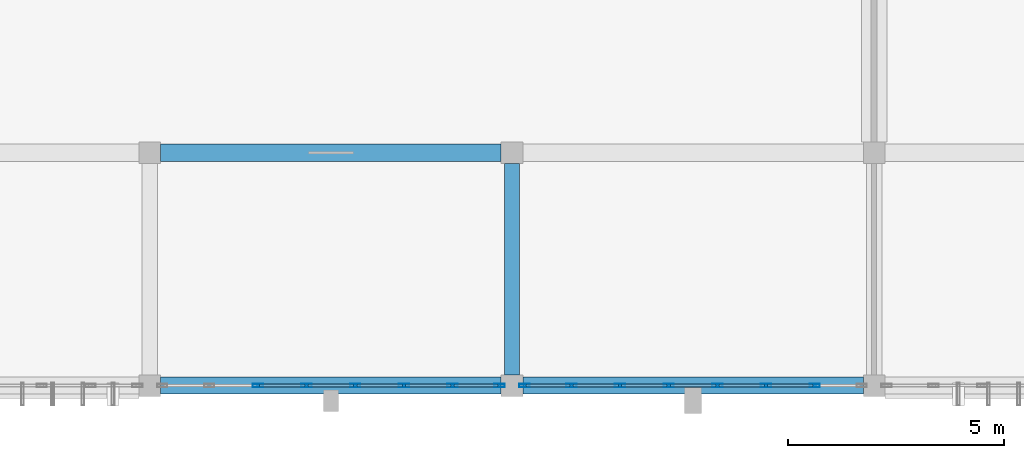
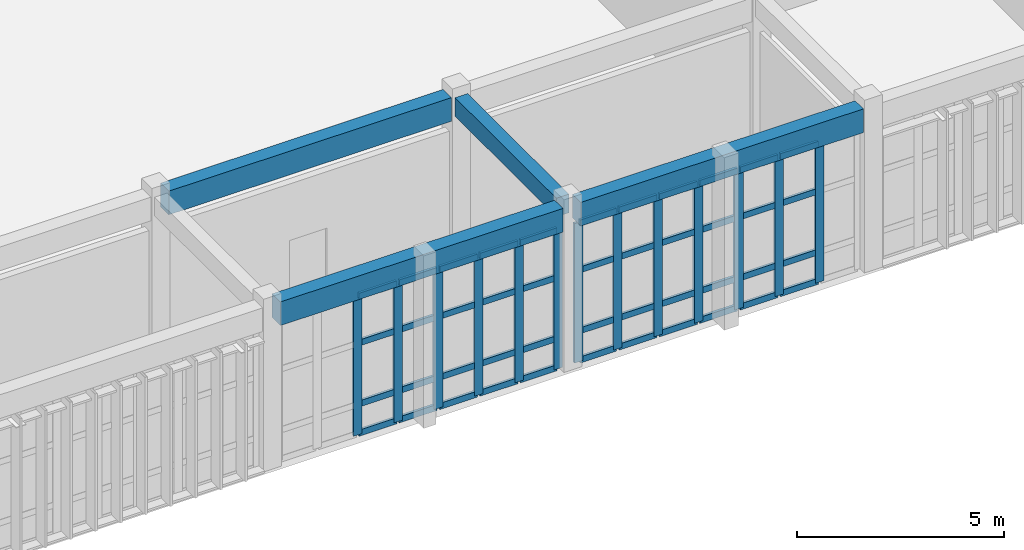
# One storey, part 43 of 93: 57 members, 4 beams, 2 elements without a shape of their own.
"""IFC4 building model written with IfcOpenShell, lengths in metres."""

from ifc_helpers import new_model, si_unit, direction, frame, origin, origin_2d, place, context, subcontext, project, spatial, rectangle, hollow_rectangle, extrude, material, layer, layer_set, material_profile, profile_set, type_object, element, aggregate, save


model = new_model("IFC4")

# Units and contexts
model_context = context("Model", 3, precision=1e-05, world=origin(), true_north=direction((0.0, 1.0)))
body_context = subcontext(model_context, "Body", "Model", "MODEL_VIEW")
ifc_project = project(units=[si_unit("LENGTHUNIT", "METRE"), si_unit("AREAUNIT", "SQUARE_METRE"), si_unit("VOLUMEUNIT", "CUBIC_METRE"), si_unit("PLANEANGLEUNIT", "RADIAN"), si_unit("MASSUNIT", "GRAM", prefix="KILO")], contexts=[model_context])

# Site, building, storey
site_placement = place(None, origin())
site = spatial("IfcSite", under=ifc_project, at=site_placement, CompositionType="ELEMENT")
building_placement = place(site_placement, origin())
building = spatial("IfcBuilding", under=site, at=building_placement, Name="Krzemoval Escarpment Law Courts", CompositionType="ELEMENT")
storey_placement = place(building_placement, frame((0.0, 0.0, 10.199951171875)))
storey = spatial("IfcBuildingStorey", under=building, at=storey_placement, Name="L02", CompositionType="ELEMENT", Elevation=10.199951171875)

# Beams
ifc_material_1 = material(Name="Concrete C40/50", Category="concrete")
ifc_material_profile_1 = material_profile(ifc_material_1, rectangle(XDim=0.35009765625, YDim=0.550048828125, at=origin_2d()), Name="RCB 350x550")
ifc_profile_set_1 = profile_set([ifc_material_profile_1], Name="Concrete C40/50")
beam_type_1 = type_object("IfcBeamType", Name="BM-RC-350x550", PredefinedType="BEAM", material=ifc_profile_set_1)
beam_1_placement = place(storey_placement, frame((134.39990234375, 0.25, 4.545166015625), z_axis=(0.0, 1.0, 0.0), x_axis=(-1.0, 0.0, 0.0)))
element("IfcBeam", 1, at=beam_1_placement, inside=storey, type_object=beam_type_1, Name="Beam FG-L02-1966", PredefinedType="BEAM", context=body_context, shape_type="SweptSolid", body=[
    extrude(rectangle(XDim=0.35009765625, YDim=0.550048828125, at=origin_2d()), origin(), (0.0, 0.0, 1.0), 4.89990234375),
])
ifc_material_2 = material(Name="Concrete C40/50", Category="concrete")
ifc_material_profile_2 = material_profile(ifc_material_2, rectangle(XDim=0.39990234375, YDim=0.699951171875, at=origin_2d()), Name="RCB 400x700")
ifc_profile_set_2 = profile_set([ifc_material_profile_2], Name="Concrete C40/50")
beam_type_2 = type_object("IfcBeamType", Name="BM-RC-400x700", PredefinedType="BEAM", material=ifc_profile_set_2)
beam_2_placement = place(storey_placement, frame((126.25, 0.0, 4.469970703125), z_axis=(1.0, 0.0, 0.0), x_axis=(0.0, 1.0, 0.0)))
element("IfcBeam", 2, at=beam_2_placement, inside=storey, type_object=beam_type_2, Name="Beam FG-L02-1718", PredefinedType="BEAM", context=body_context, shape_type="SweptSolid", body=[
    extrude(rectangle(XDim=0.39990234375, YDim=0.699951171875, at=origin_2d()), origin(), (0.0, 0.0, 1.0), 7.89990234375),
])
beam_3_placement = place(storey_placement, frame((134.64990234375, 0.0, 4.469970703125), z_axis=(1.0, 0.0, 0.0), x_axis=(0.0, 1.0, 0.0)))
element("IfcBeam", 3, at=beam_3_placement, inside=storey, type_object=beam_type_2, Name="Beam FG-L02-1719", PredefinedType="BEAM", context=body_context, shape_type="SweptSolid", body=[
    extrude(rectangle(XDim=0.39990234375, YDim=0.699951171875, at=origin_2d()), origin(), (0.0, 0.0, 1.0), 7.900146484375),
])
beam_4_placement = place(storey_placement, frame((126.25, 5.39990234375, 4.469970703125), z_axis=(1.0, 0.0, 0.0), x_axis=(0.0, 1.0, 0.0)))
element("IfcBeam", 4, at=beam_4_placement, inside=storey, type_object=beam_type_2, Name="Beam FG-L02-1735", PredefinedType="BEAM", context=body_context, shape_type="SweptSolid", body=[
    extrude(rectangle(XDim=0.39990234375, YDim=0.699951171875, at=origin_2d()), origin(), (0.0, 0.0, 1.0), 7.89990234375),
])

# Curtain wall, members
ifc_material_3 = material(Name="Aluminium 6063-T6", Category="aluminium")
ifc_layer = layer(ifc_material_3, 0.239990234375)
ifc_layer_set = layer_set([ifc_layer], Name="Aluminium 6063-T6")
curtain_wall_type = type_object("IfcCurtainWallType", Name="CW-LIBR-4800", PredefinedType="USERDEFINED", material=ifc_layer_set)
curtain_wall_1_placement = place(storey_placement, origin())
curtain_wall_1 = element("IfcCurtainWall", 5, at=curtain_wall_1_placement, inside=storey, type_object=curtain_wall_type, Name="Unitised Curtain Wall FCW-L02-082", ObjectType="UNITISED_CURTAIN_WALL", PredefinedType="USERDEFINED")
ifc_material_4 = material(Name="Aluminium 6063-T6", Category="aluminium")
ifc_material_profile_3 = material_profile(ifc_material_4, hollow_rectangle(XDim=0.074951171875, YDim=0.239990234375, WallThickness=0.0048828125, at=origin_2d()), Name="ALU M75x240")
ifc_profile_set_3 = profile_set([ifc_material_profile_3], Name="Aluminium 6063-T6")
member_type_1 = type_object("IfcMemberType", Name="CWM-75x240", PredefinedType="MULLION", material=ifc_profile_set_3)
member_1_placement = place(storey_placement, frame((141.42138671875, 0.0, 0.0), z_axis=(0.0, 0.0, 1.0), x_axis=(0.0, -1.0, 0.0)))
member_1 = element("IfcMember", 6, at=member_1_placement, type_object=member_type_1, Name="FCW-L02-082 mullion 2", PredefinedType="MULLION", context=body_context, shape_type="SweptSolid", body=[
    extrude(hollow_rectangle(XDim=0.074951171875, YDim=0.239990234375, WallThickness=0.0048828125, at=origin_2d()), origin(), (0.0, 0.0, 1.0), 4.1201171875),
])
member_2_placement = place(storey_placement, frame((140.29296875, 0.0, 0.0), z_axis=(0.0, 0.0, 1.0), x_axis=(0.0, -1.0, 0.0)))
member_2 = element("IfcMember", 7, at=member_2_placement, type_object=member_type_1, Name="FCW-L02-082 mullion 3", PredefinedType="MULLION", context=body_context, shape_type="SweptSolid", body=[
    extrude(hollow_rectangle(XDim=0.074951171875, YDim=0.239990234375, WallThickness=0.0048828125, at=origin_2d()), origin(), (0.0, 0.0, 1.0), 4.1201171875),
])
member_3_placement = place(storey_placement, frame((139.164306640625, 0.0, 0.0), z_axis=(0.0, 0.0, 1.0), x_axis=(0.0, -1.0, 0.0)))
member_3 = element("IfcMember", 8, at=member_3_placement, type_object=member_type_1, Name="FCW-L02-082 mullion 4", PredefinedType="MULLION", context=body_context, shape_type="SweptSolid", body=[
    extrude(hollow_rectangle(XDim=0.074951171875, YDim=0.239990234375, WallThickness=0.0048828125, at=origin_2d()), origin(), (0.0, 0.0, 1.0), 4.1201171875),
])
member_4_placement = place(storey_placement, frame((138.03564453125, 0.0, 0.0), z_axis=(0.0, 0.0, 1.0), x_axis=(0.0, -1.0, 0.0)))
member_4 = element("IfcMember", 9, at=member_4_placement, type_object=member_type_1, Name="FCW-L02-082 mullion 5", PredefinedType="MULLION", context=body_context, shape_type="SweptSolid", body=[
    extrude(hollow_rectangle(XDim=0.074951171875, YDim=0.239990234375, WallThickness=0.0048828125, at=origin_2d()), origin(), (0.0, 0.0, 1.0), 4.1201171875),
])
member_5_placement = place(storey_placement, frame((136.9072265625, 0.0, 0.0), z_axis=(0.0, 0.0, 1.0), x_axis=(0.0, -1.0, 0.0)))
member_5 = element("IfcMember", 10, at=member_5_placement, type_object=member_type_1, Name="FCW-L02-082 mullion 6", PredefinedType="MULLION", context=body_context, shape_type="SweptSolid", body=[
    extrude(hollow_rectangle(XDim=0.074951171875, YDim=0.239990234375, WallThickness=0.0048828125, at=origin_2d()), origin(), (0.0, 0.0, 1.0), 4.1201171875),
])
member_6_placement = place(storey_placement, frame((135.778564453125, 0.0, 0.0), z_axis=(0.0, 0.0, 1.0), x_axis=(0.0, -1.0, 0.0)))
member_6 = element("IfcMember", 11, at=member_6_placement, type_object=member_type_1, Name="FCW-L02-082 mullion 7", PredefinedType="MULLION", context=body_context, shape_type="SweptSolid", body=[
    extrude(hollow_rectangle(XDim=0.074951171875, YDim=0.239990234375, WallThickness=0.0048828125, at=origin_2d()), origin(), (0.0, 0.0, 1.0), 4.1201171875),
])
member_7_placement = place(storey_placement, frame((134.6875, 0.0, 0.0), z_axis=(0.0, 0.0, 1.0), x_axis=(0.0, -1.0, 0.0)))
member_7 = element("IfcMember", 12, at=member_7_placement, type_object=member_type_1, Name="FCW-L02-082 mullion 8", PredefinedType="MULLION", context=body_context, shape_type="SweptSolid", body=[
    extrude(hollow_rectangle(XDim=0.074951171875, YDim=0.239990234375, WallThickness=0.0048828125, at=origin_2d()), origin(), (0.0, 0.0, 1.0), 4.1201171875),
])

curtain_wall_2_placement = place(storey_placement, origin())
curtain_wall_2 = element("IfcCurtainWall", 13, at=curtain_wall_2_placement, inside=storey, type_object=curtain_wall_type, Name="Unitised Curtain Wall FCW-L02-083", ObjectType="UNITISED_CURTAIN_WALL", PredefinedType="USERDEFINED")
member_8_placement = place(storey_placement, frame((134.112548828125, 0.0, 0.0), z_axis=(0.0, 0.0, 1.0), x_axis=(0.0, -1.0, 0.0)))
member_8 = element("IfcMember", 14, at=member_8_placement, type_object=member_type_1, Name="FCW-L02-083 mullion 1", PredefinedType="MULLION", context=body_context, shape_type="SweptSolid", body=[
    extrude(hollow_rectangle(XDim=0.074951171875, YDim=0.239990234375, WallThickness=0.0048828125, at=origin_2d()), origin(), (0.0, 0.0, 1.0), 4.1201171875),
])
member_9_placement = place(storey_placement, frame((133.021484375, 0.0, 0.0), z_axis=(0.0, 0.0, 1.0), x_axis=(0.0, -1.0, 0.0)))
member_9 = element("IfcMember", 15, at=member_9_placement, type_object=member_type_1, Name="FCW-L02-083 mullion 2", PredefinedType="MULLION", context=body_context, shape_type="SweptSolid", body=[
    extrude(hollow_rectangle(XDim=0.074951171875, YDim=0.239990234375, WallThickness=0.0048828125, at=origin_2d()), origin(), (0.0, 0.0, 1.0), 4.1201171875),
])
member_10_placement = place(storey_placement, frame((131.892822265625, 0.0, 0.0), z_axis=(0.0, 0.0, 1.0), x_axis=(0.0, -1.0, 0.0)))
member_10 = element("IfcMember", 16, at=member_10_placement, type_object=member_type_1, Name="FCW-L02-083 mullion 3", PredefinedType="MULLION", context=body_context, shape_type="SweptSolid", body=[
    extrude(hollow_rectangle(XDim=0.074951171875, YDim=0.239990234375, WallThickness=0.0048828125, at=origin_2d()), origin(), (0.0, 0.0, 1.0), 4.1201171875),
])
member_11_placement = place(storey_placement, frame((130.764404296875, 0.0, 0.0), z_axis=(0.0, 0.0, 1.0), x_axis=(0.0, -1.0, 0.0)))
member_11 = element("IfcMember", 17, at=member_11_placement, type_object=member_type_1, Name="FCW-L02-083 mullion 4", PredefinedType="MULLION", context=body_context, shape_type="SweptSolid", body=[
    extrude(hollow_rectangle(XDim=0.074951171875, YDim=0.239990234375, WallThickness=0.0048828125, at=origin_2d()), origin(), (0.0, 0.0, 1.0), 4.1201171875),
])
member_12_placement = place(storey_placement, frame((129.6357421875, 0.0, 0.0), z_axis=(0.0, 0.0, 1.0), x_axis=(0.0, -1.0, 0.0)))
member_12 = element("IfcMember", 18, at=member_12_placement, type_object=member_type_1, Name="FCW-L02-083 mullion 5", PredefinedType="MULLION", context=body_context, shape_type="SweptSolid", body=[
    extrude(hollow_rectangle(XDim=0.074951171875, YDim=0.239990234375, WallThickness=0.0048828125, at=origin_2d()), origin(), (0.0, 0.0, 1.0), 4.1201171875),
])
member_13_placement = place(storey_placement, frame((128.507080078125, 0.0, 0.0), z_axis=(0.0, 0.0, 1.0), x_axis=(0.0, -1.0, 0.0)))
member_13 = element("IfcMember", 19, at=member_13_placement, type_object=member_type_1, Name="FCW-L02-083 mullion 6", PredefinedType="MULLION", context=body_context, shape_type="SweptSolid", body=[
    extrude(hollow_rectangle(XDim=0.074951171875, YDim=0.239990234375, WallThickness=0.0048828125, at=origin_2d()), origin(), (0.0, 0.0, 1.0), 4.1201171875),
])

# Member
ifc_material_5 = material(Name="Aluminium 6063-T6", Category="aluminium")
ifc_material_profile_4 = material_profile(ifc_material_5, hollow_rectangle(XDim=0.074951171875, YDim=0.179931640625, WallThickness=0.0048828125, at=origin_2d()), Name="ALU T75x180")
ifc_profile_set_4 = profile_set([ifc_material_profile_4], Name="Aluminium 6063-T6")
member_type_2 = type_object("IfcMemberType", Name="CWT-75x180", PredefinedType="USERDEFINED", material=ifc_profile_set_4)
member_14_placement = place(storey_placement, frame((141.384033203125, 0.0, 0.03759765625), z_axis=(-1.0, 0.0, 0.0), x_axis=(0.0, -1.0, 0.0)))
member_14 = element("IfcMember", 20, at=member_14_placement, type_object=member_type_2, Name="FCW-L02-082 transom 2.1", ObjectType="TRANSOM", PredefinedType="USERDEFINED", context=body_context, shape_type="SweptSolid", body=[
    extrude(hollow_rectangle(XDim=0.074951171875, YDim=0.179931640625, WallThickness=0.0048828125, at=origin_2d()), origin(), (0.0, 0.0, 1.0), 1.0537109375),
])

member_15_placement = place(storey_placement, frame((141.384033203125, 0.0, 0.900146484375), z_axis=(-1.0, 0.0, 0.0), x_axis=(0.0, -1.0, 0.0)))
member_15 = element("IfcMember", 21, at=member_15_placement, type_object=member_type_2, Name="FCW-L02-082 transom 2.2", ObjectType="TRANSOM", PredefinedType="USERDEFINED", context=body_context, shape_type="SweptSolid", body=[
    extrude(hollow_rectangle(XDim=0.074951171875, YDim=0.179931640625, WallThickness=0.0048828125, at=origin_2d()), origin(), (0.0, 0.0, 1.0), 1.0537109375),
])

member_16_placement = place(storey_placement, frame((141.384033203125, 0.0, 2.699951171875), z_axis=(-1.0, 0.0, 0.0), x_axis=(0.0, -1.0, 0.0)))
member_16 = element("IfcMember", 22, at=member_16_placement, type_object=member_type_2, Name="FCW-L02-082 transom 2.3", ObjectType="TRANSOM", PredefinedType="USERDEFINED", context=body_context, shape_type="SweptSolid", body=[
    extrude(hollow_rectangle(XDim=0.074951171875, YDim=0.179931640625, WallThickness=0.0048828125, at=origin_2d()), origin(), (0.0, 0.0, 1.0), 1.0537109375),
])

member_17_placement = place(storey_placement, frame((141.384033203125, 0.0, 4.08251953125), z_axis=(-1.0, 0.0, 0.0), x_axis=(0.0, -1.0, 0.0)))
member_17 = element("IfcMember", 23, at=member_17_placement, type_object=member_type_2, Name="FCW-L02-082 transom 2.4", ObjectType="TRANSOM", PredefinedType="USERDEFINED", context=body_context, shape_type="SweptSolid", body=[
    extrude(hollow_rectangle(XDim=0.074951171875, YDim=0.179931640625, WallThickness=0.0048828125, at=origin_2d()), origin(), (0.0, 0.0, 1.0), 1.0537109375),
])

member_18_placement = place(storey_placement, frame((140.25537109375, 0.0, 0.03759765625), z_axis=(-1.0, 0.0, 0.0), x_axis=(0.0, -1.0, 0.0)))
member_18 = element("IfcMember", 24, at=member_18_placement, type_object=member_type_2, Name="FCW-L02-082 transom 3.1", ObjectType="TRANSOM", PredefinedType="USERDEFINED", context=body_context, shape_type="SweptSolid", body=[
    extrude(hollow_rectangle(XDim=0.074951171875, YDim=0.179931640625, WallThickness=0.0048828125, at=origin_2d()), origin(), (0.0, 0.0, 1.0), 1.053466796875),
])

member_19_placement = place(storey_placement, frame((140.25537109375, 0.0, 0.900146484375), z_axis=(-1.0, 0.0, 0.0), x_axis=(0.0, -1.0, 0.0)))
member_19 = element("IfcMember", 25, at=member_19_placement, type_object=member_type_2, Name="FCW-L02-082 transom 3.2", ObjectType="TRANSOM", PredefinedType="USERDEFINED", context=body_context, shape_type="SweptSolid", body=[
    extrude(hollow_rectangle(XDim=0.074951171875, YDim=0.179931640625, WallThickness=0.0048828125, at=origin_2d()), origin(), (0.0, 0.0, 1.0), 1.053466796875),
])

member_20_placement = place(storey_placement, frame((140.25537109375, 0.0, 2.699951171875), z_axis=(-1.0, 0.0, 0.0), x_axis=(0.0, -1.0, 0.0)))
member_20 = element("IfcMember", 26, at=member_20_placement, type_object=member_type_2, Name="FCW-L02-082 transom 3.3", ObjectType="TRANSOM", PredefinedType="USERDEFINED", context=body_context, shape_type="SweptSolid", body=[
    extrude(hollow_rectangle(XDim=0.074951171875, YDim=0.179931640625, WallThickness=0.0048828125, at=origin_2d()), origin(), (0.0, 0.0, 1.0), 1.053466796875),
])

member_21_placement = place(storey_placement, frame((140.25537109375, 0.0, 4.08251953125), z_axis=(-1.0, 0.0, 0.0), x_axis=(0.0, -1.0, 0.0)))
member_21 = element("IfcMember", 27, at=member_21_placement, type_object=member_type_2, Name="FCW-L02-082 transom 3.4", ObjectType="TRANSOM", PredefinedType="USERDEFINED", context=body_context, shape_type="SweptSolid", body=[
    extrude(hollow_rectangle(XDim=0.074951171875, YDim=0.179931640625, WallThickness=0.0048828125, at=origin_2d()), origin(), (0.0, 0.0, 1.0), 1.053466796875),
])

member_22_placement = place(storey_placement, frame((139.126708984375, 0.0, 0.03759765625), z_axis=(-1.0, 0.0, 0.0), x_axis=(0.0, -1.0, 0.0)))
member_22 = element("IfcMember", 28, at=member_22_placement, type_object=member_type_2, Name="FCW-L02-082 transom 4.1", ObjectType="TRANSOM", PredefinedType="USERDEFINED", context=body_context, shape_type="SweptSolid", body=[
    extrude(hollow_rectangle(XDim=0.074951171875, YDim=0.179931640625, WallThickness=0.0048828125, at=origin_2d()), origin(), (0.0, 0.0, 1.0), 1.053466796875),
])

member_23_placement = place(storey_placement, frame((139.126708984375, 0.0, 0.900146484375), z_axis=(-1.0, 0.0, 0.0), x_axis=(0.0, -1.0, 0.0)))
member_23 = element("IfcMember", 29, at=member_23_placement, type_object=member_type_2, Name="FCW-L02-082 transom 4.2", ObjectType="TRANSOM", PredefinedType="USERDEFINED", context=body_context, shape_type="SweptSolid", body=[
    extrude(hollow_rectangle(XDim=0.074951171875, YDim=0.179931640625, WallThickness=0.0048828125, at=origin_2d()), origin(), (0.0, 0.0, 1.0), 1.053466796875),
])

member_24_placement = place(storey_placement, frame((139.126708984375, 0.0, 2.699951171875), z_axis=(-1.0, 0.0, 0.0), x_axis=(0.0, -1.0, 0.0)))
member_24 = element("IfcMember", 30, at=member_24_placement, type_object=member_type_2, Name="FCW-L02-082 transom 4.3", ObjectType="TRANSOM", PredefinedType="USERDEFINED", context=body_context, shape_type="SweptSolid", body=[
    extrude(hollow_rectangle(XDim=0.074951171875, YDim=0.179931640625, WallThickness=0.0048828125, at=origin_2d()), origin(), (0.0, 0.0, 1.0), 1.053466796875),
])

member_25_placement = place(storey_placement, frame((139.126708984375, 0.0, 4.08251953125), z_axis=(-1.0, 0.0, 0.0), x_axis=(0.0, -1.0, 0.0)))
member_25 = element("IfcMember", 31, at=member_25_placement, type_object=member_type_2, Name="FCW-L02-082 transom 4.4", ObjectType="TRANSOM", PredefinedType="USERDEFINED", context=body_context, shape_type="SweptSolid", body=[
    extrude(hollow_rectangle(XDim=0.074951171875, YDim=0.179931640625, WallThickness=0.0048828125, at=origin_2d()), origin(), (0.0, 0.0, 1.0), 1.053466796875),
])

member_26_placement = place(storey_placement, frame((137.998291015625, 0.0, 0.03759765625), z_axis=(-1.0, 0.0, 0.0), x_axis=(0.0, -1.0, 0.0)))
member_26 = element("IfcMember", 32, at=member_26_placement, type_object=member_type_2, Name="FCW-L02-082 transom 5.1", ObjectType="TRANSOM", PredefinedType="USERDEFINED", context=body_context, shape_type="SweptSolid", body=[
    extrude(hollow_rectangle(XDim=0.074951171875, YDim=0.179931640625, WallThickness=0.0048828125, at=origin_2d()), origin(), (0.0, 0.0, 1.0), 1.0537109375),
])

member_27_placement = place(storey_placement, frame((137.998291015625, 0.0, 0.900146484375), z_axis=(-1.0, 0.0, 0.0), x_axis=(0.0, -1.0, 0.0)))
member_27 = element("IfcMember", 33, at=member_27_placement, type_object=member_type_2, Name="FCW-L02-082 transom 5.2", ObjectType="TRANSOM", PredefinedType="USERDEFINED", context=body_context, shape_type="SweptSolid", body=[
    extrude(hollow_rectangle(XDim=0.074951171875, YDim=0.179931640625, WallThickness=0.0048828125, at=origin_2d()), origin(), (0.0, 0.0, 1.0), 1.0537109375),
])

member_28_placement = place(storey_placement, frame((137.998291015625, 0.0, 2.699951171875), z_axis=(-1.0, 0.0, 0.0), x_axis=(0.0, -1.0, 0.0)))
member_28 = element("IfcMember", 34, at=member_28_placement, type_object=member_type_2, Name="FCW-L02-082 transom 5.3", ObjectType="TRANSOM", PredefinedType="USERDEFINED", context=body_context, shape_type="SweptSolid", body=[
    extrude(hollow_rectangle(XDim=0.074951171875, YDim=0.179931640625, WallThickness=0.0048828125, at=origin_2d()), origin(), (0.0, 0.0, 1.0), 1.0537109375),
])

member_29_placement = place(storey_placement, frame((137.998291015625, 0.0, 4.08251953125), z_axis=(-1.0, 0.0, 0.0), x_axis=(0.0, -1.0, 0.0)))
member_29 = element("IfcMember", 35, at=member_29_placement, type_object=member_type_2, Name="FCW-L02-082 transom 5.4", ObjectType="TRANSOM", PredefinedType="USERDEFINED", context=body_context, shape_type="SweptSolid", body=[
    extrude(hollow_rectangle(XDim=0.074951171875, YDim=0.179931640625, WallThickness=0.0048828125, at=origin_2d()), origin(), (0.0, 0.0, 1.0), 1.0537109375),
])

member_30_placement = place(storey_placement, frame((136.86962890625, 0.0, 0.03759765625), z_axis=(-1.0, 0.0, 0.0), x_axis=(0.0, -1.0, 0.0)))
member_30 = element("IfcMember", 36, at=member_30_placement, type_object=member_type_2, Name="FCW-L02-082 transom 6.1", ObjectType="TRANSOM", PredefinedType="USERDEFINED", context=body_context, shape_type="SweptSolid", body=[
    extrude(hollow_rectangle(XDim=0.074951171875, YDim=0.179931640625, WallThickness=0.0048828125, at=origin_2d()), origin(), (0.0, 0.0, 1.0), 1.053466796875),
])

member_31_placement = place(storey_placement, frame((136.86962890625, 0.0, 0.900146484375), z_axis=(-1.0, 0.0, 0.0), x_axis=(0.0, -1.0, 0.0)))
member_31 = element("IfcMember", 37, at=member_31_placement, type_object=member_type_2, Name="FCW-L02-082 transom 6.2", ObjectType="TRANSOM", PredefinedType="USERDEFINED", context=body_context, shape_type="SweptSolid", body=[
    extrude(hollow_rectangle(XDim=0.074951171875, YDim=0.179931640625, WallThickness=0.0048828125, at=origin_2d()), origin(), (0.0, 0.0, 1.0), 1.053466796875),
])

member_32_placement = place(storey_placement, frame((136.86962890625, 0.0, 2.699951171875), z_axis=(-1.0, 0.0, 0.0), x_axis=(0.0, -1.0, 0.0)))
member_32 = element("IfcMember", 38, at=member_32_placement, type_object=member_type_2, Name="FCW-L02-082 transom 6.3", ObjectType="TRANSOM", PredefinedType="USERDEFINED", context=body_context, shape_type="SweptSolid", body=[
    extrude(hollow_rectangle(XDim=0.074951171875, YDim=0.179931640625, WallThickness=0.0048828125, at=origin_2d()), origin(), (0.0, 0.0, 1.0), 1.053466796875),
])

member_33_placement = place(storey_placement, frame((136.86962890625, 0.0, 4.08251953125), z_axis=(-1.0, 0.0, 0.0), x_axis=(0.0, -1.0, 0.0)))
member_33 = element("IfcMember", 39, at=member_33_placement, type_object=member_type_2, Name="FCW-L02-082 transom 6.4", ObjectType="TRANSOM", PredefinedType="USERDEFINED", context=body_context, shape_type="SweptSolid", body=[
    extrude(hollow_rectangle(XDim=0.074951171875, YDim=0.179931640625, WallThickness=0.0048828125, at=origin_2d()), origin(), (0.0, 0.0, 1.0), 1.053466796875),
])

member_34_placement = place(storey_placement, frame((135.740966796875, 0.0, 0.03759765625), z_axis=(-1.0, 0.0, 0.0), x_axis=(0.0, -1.0, 0.0)))
member_34 = element("IfcMember", 40, at=member_34_placement, type_object=member_type_2, Name="FCW-L02-082 transom 7.1", ObjectType="TRANSOM", PredefinedType="USERDEFINED", context=body_context, shape_type="SweptSolid", body=[
    extrude(hollow_rectangle(XDim=0.074951171875, YDim=0.179931640625, WallThickness=0.0048828125, at=origin_2d()), origin(), (0.0, 0.0, 1.0), 1.015869140625),
])

member_35_placement = place(storey_placement, frame((135.740966796875, 0.0, 0.900146484375), z_axis=(-1.0, 0.0, 0.0), x_axis=(0.0, -1.0, 0.0)))
member_35 = element("IfcMember", 41, at=member_35_placement, type_object=member_type_2, Name="FCW-L02-082 transom 7.2", ObjectType="TRANSOM", PredefinedType="USERDEFINED", context=body_context, shape_type="SweptSolid", body=[
    extrude(hollow_rectangle(XDim=0.074951171875, YDim=0.179931640625, WallThickness=0.0048828125, at=origin_2d()), origin(), (0.0, 0.0, 1.0), 1.015869140625),
])

member_36_placement = place(storey_placement, frame((135.740966796875, 0.0, 2.699951171875), z_axis=(-1.0, 0.0, 0.0), x_axis=(0.0, -1.0, 0.0)))
member_36 = element("IfcMember", 42, at=member_36_placement, type_object=member_type_2, Name="FCW-L02-082 transom 7.3", ObjectType="TRANSOM", PredefinedType="USERDEFINED", context=body_context, shape_type="SweptSolid", body=[
    extrude(hollow_rectangle(XDim=0.074951171875, YDim=0.179931640625, WallThickness=0.0048828125, at=origin_2d()), origin(), (0.0, 0.0, 1.0), 1.015869140625),
])

member_37_placement = place(storey_placement, frame((135.740966796875, 0.0, 4.08251953125), z_axis=(-1.0, 0.0, 0.0), x_axis=(0.0, -1.0, 0.0)))
member_37 = element("IfcMember", 43, at=member_37_placement, type_object=member_type_2, Name="FCW-L02-082 transom 7.4", ObjectType="TRANSOM", PredefinedType="USERDEFINED", context=body_context, shape_type="SweptSolid", body=[
    extrude(hollow_rectangle(XDim=0.074951171875, YDim=0.179931640625, WallThickness=0.0048828125, at=origin_2d()), origin(), (0.0, 0.0, 1.0), 1.015869140625),
])

aggregate(curtain_wall_1, [member_1, member_2, member_3, member_4, member_5, member_6, member_7, member_14, member_15, member_16, member_17, member_18, member_19, member_20, member_21, member_22, member_23, member_24, member_25, member_26, member_27, member_28, member_29, member_30, member_31, member_32, member_33, member_34, member_35, member_36, member_37])

member_38_placement = place(storey_placement, frame((134.074951171875, 0.0, 0.03759765625), z_axis=(-1.0, 0.0, 0.0), x_axis=(0.0, -1.0, 0.0)))
member_38 = element("IfcMember", 44, at=member_38_placement, type_object=member_type_2, Name="FCW-L02-083 transom 1.1", ObjectType="TRANSOM", PredefinedType="USERDEFINED", context=body_context, shape_type="SweptSolid", body=[
    extrude(hollow_rectangle(XDim=0.074951171875, YDim=0.179931640625, WallThickness=0.0048828125, at=origin_2d()), origin(), (0.0, 0.0, 1.0), 1.01611328125),
])

member_39_placement = place(storey_placement, frame((134.074951171875, 0.0, 0.900146484375), z_axis=(-1.0, 0.0, 0.0), x_axis=(0.0, -1.0, 0.0)))
member_39 = element("IfcMember", 45, at=member_39_placement, type_object=member_type_2, Name="FCW-L02-083 transom 1.2", ObjectType="TRANSOM", PredefinedType="USERDEFINED", context=body_context, shape_type="SweptSolid", body=[
    extrude(hollow_rectangle(XDim=0.074951171875, YDim=0.179931640625, WallThickness=0.0048828125, at=origin_2d()), origin(), (0.0, 0.0, 1.0), 1.01611328125),
])

member_40_placement = place(storey_placement, frame((134.074951171875, 0.0, 2.699951171875), z_axis=(-1.0, 0.0, 0.0), x_axis=(0.0, -1.0, 0.0)))
member_40 = element("IfcMember", 46, at=member_40_placement, type_object=member_type_2, Name="FCW-L02-083 transom 1.3", ObjectType="TRANSOM", PredefinedType="USERDEFINED", context=body_context, shape_type="SweptSolid", body=[
    extrude(hollow_rectangle(XDim=0.074951171875, YDim=0.179931640625, WallThickness=0.0048828125, at=origin_2d()), origin(), (0.0, 0.0, 1.0), 1.01611328125),
])

member_41_placement = place(storey_placement, frame((134.074951171875, 0.0, 4.08251953125), z_axis=(-1.0, 0.0, 0.0), x_axis=(0.0, -1.0, 0.0)))
member_41 = element("IfcMember", 47, at=member_41_placement, type_object=member_type_2, Name="FCW-L02-083 transom 1.4", ObjectType="TRANSOM", PredefinedType="USERDEFINED", context=body_context, shape_type="SweptSolid", body=[
    extrude(hollow_rectangle(XDim=0.074951171875, YDim=0.179931640625, WallThickness=0.0048828125, at=origin_2d()), origin(), (0.0, 0.0, 1.0), 1.01611328125),
])

member_42_placement = place(storey_placement, frame((132.98388671875, 0.0, 0.03759765625), z_axis=(-1.0, 0.0, 0.0), x_axis=(0.0, -1.0, 0.0)))
member_42 = element("IfcMember", 48, at=member_42_placement, type_object=member_type_2, Name="FCW-L02-083 transom 2.1", ObjectType="TRANSOM", PredefinedType="USERDEFINED", context=body_context, shape_type="SweptSolid", body=[
    extrude(hollow_rectangle(XDim=0.074951171875, YDim=0.179931640625, WallThickness=0.0048828125, at=origin_2d()), origin(), (0.0, 0.0, 1.0), 1.053466796875),
])

member_43_placement = place(storey_placement, frame((132.98388671875, 0.0, 0.900146484375), z_axis=(-1.0, 0.0, 0.0), x_axis=(0.0, -1.0, 0.0)))
member_43 = element("IfcMember", 49, at=member_43_placement, type_object=member_type_2, Name="FCW-L02-083 transom 2.2", ObjectType="TRANSOM", PredefinedType="USERDEFINED", context=body_context, shape_type="SweptSolid", body=[
    extrude(hollow_rectangle(XDim=0.074951171875, YDim=0.179931640625, WallThickness=0.0048828125, at=origin_2d()), origin(), (0.0, 0.0, 1.0), 1.053466796875),
])

member_44_placement = place(storey_placement, frame((132.98388671875, 0.0, 2.699951171875), z_axis=(-1.0, 0.0, 0.0), x_axis=(0.0, -1.0, 0.0)))
member_44 = element("IfcMember", 50, at=member_44_placement, type_object=member_type_2, Name="FCW-L02-083 transom 2.3", ObjectType="TRANSOM", PredefinedType="USERDEFINED", context=body_context, shape_type="SweptSolid", body=[
    extrude(hollow_rectangle(XDim=0.074951171875, YDim=0.179931640625, WallThickness=0.0048828125, at=origin_2d()), origin(), (0.0, 0.0, 1.0), 1.053466796875),
])

member_45_placement = place(storey_placement, frame((132.98388671875, 0.0, 4.08251953125), z_axis=(-1.0, 0.0, 0.0), x_axis=(0.0, -1.0, 0.0)))
member_45 = element("IfcMember", 51, at=member_45_placement, type_object=member_type_2, Name="FCW-L02-083 transom 2.4", ObjectType="TRANSOM", PredefinedType="USERDEFINED", context=body_context, shape_type="SweptSolid", body=[
    extrude(hollow_rectangle(XDim=0.074951171875, YDim=0.179931640625, WallThickness=0.0048828125, at=origin_2d()), origin(), (0.0, 0.0, 1.0), 1.053466796875),
])

member_46_placement = place(storey_placement, frame((131.85546875, 0.0, 0.03759765625), z_axis=(-1.0, 0.0, 0.0), x_axis=(0.0, -1.0, 0.0)))
member_46 = element("IfcMember", 52, at=member_46_placement, type_object=member_type_2, Name="FCW-L02-083 transom 3.1", ObjectType="TRANSOM", PredefinedType="USERDEFINED", context=body_context, shape_type="SweptSolid", body=[
    extrude(hollow_rectangle(XDim=0.074951171875, YDim=0.179931640625, WallThickness=0.0048828125, at=origin_2d()), origin(), (0.0, 0.0, 1.0), 1.0537109375),
])

member_47_placement = place(storey_placement, frame((131.85546875, 0.0, 0.900146484375), z_axis=(-1.0, 0.0, 0.0), x_axis=(0.0, -1.0, 0.0)))
member_47 = element("IfcMember", 53, at=member_47_placement, type_object=member_type_2, Name="FCW-L02-083 transom 3.2", ObjectType="TRANSOM", PredefinedType="USERDEFINED", context=body_context, shape_type="SweptSolid", body=[
    extrude(hollow_rectangle(XDim=0.074951171875, YDim=0.179931640625, WallThickness=0.0048828125, at=origin_2d()), origin(), (0.0, 0.0, 1.0), 1.0537109375),
])

member_48_placement = place(storey_placement, frame((131.85546875, 0.0, 2.699951171875), z_axis=(-1.0, 0.0, 0.0), x_axis=(0.0, -1.0, 0.0)))
member_48 = element("IfcMember", 54, at=member_48_placement, type_object=member_type_2, Name="FCW-L02-083 transom 3.3", ObjectType="TRANSOM", PredefinedType="USERDEFINED", context=body_context, shape_type="SweptSolid", body=[
    extrude(hollow_rectangle(XDim=0.074951171875, YDim=0.179931640625, WallThickness=0.0048828125, at=origin_2d()), origin(), (0.0, 0.0, 1.0), 1.0537109375),
])

member_49_placement = place(storey_placement, frame((131.85546875, 0.0, 4.08251953125), z_axis=(-1.0, 0.0, 0.0), x_axis=(0.0, -1.0, 0.0)))
member_49 = element("IfcMember", 55, at=member_49_placement, type_object=member_type_2, Name="FCW-L02-083 transom 3.4", ObjectType="TRANSOM", PredefinedType="USERDEFINED", context=body_context, shape_type="SweptSolid", body=[
    extrude(hollow_rectangle(XDim=0.074951171875, YDim=0.179931640625, WallThickness=0.0048828125, at=origin_2d()), origin(), (0.0, 0.0, 1.0), 1.0537109375),
])

member_50_placement = place(storey_placement, frame((130.726806640625, 0.0, 0.03759765625), z_axis=(-1.0, 0.0, 0.0), x_axis=(0.0, -1.0, 0.0)))
member_50 = element("IfcMember", 56, at=member_50_placement, type_object=member_type_2, Name="FCW-L02-083 transom 4.1", ObjectType="TRANSOM", PredefinedType="USERDEFINED", context=body_context, shape_type="SweptSolid", body=[
    extrude(hollow_rectangle(XDim=0.074951171875, YDim=0.179931640625, WallThickness=0.0048828125, at=origin_2d()), origin(), (0.0, 0.0, 1.0), 1.0537109375),
])

member_51_placement = place(storey_placement, frame((130.726806640625, 0.0, 0.900146484375), z_axis=(-1.0, 0.0, 0.0), x_axis=(0.0, -1.0, 0.0)))
member_51 = element("IfcMember", 57, at=member_51_placement, type_object=member_type_2, Name="FCW-L02-083 transom 4.2", ObjectType="TRANSOM", PredefinedType="USERDEFINED", context=body_context, shape_type="SweptSolid", body=[
    extrude(hollow_rectangle(XDim=0.074951171875, YDim=0.179931640625, WallThickness=0.0048828125, at=origin_2d()), origin(), (0.0, 0.0, 1.0), 1.0537109375),
])

member_52_placement = place(storey_placement, frame((130.726806640625, 0.0, 2.699951171875), z_axis=(-1.0, 0.0, 0.0), x_axis=(0.0, -1.0, 0.0)))
member_52 = element("IfcMember", 58, at=member_52_placement, type_object=member_type_2, Name="FCW-L02-083 transom 4.3", ObjectType="TRANSOM", PredefinedType="USERDEFINED", context=body_context, shape_type="SweptSolid", body=[
    extrude(hollow_rectangle(XDim=0.074951171875, YDim=0.179931640625, WallThickness=0.0048828125, at=origin_2d()), origin(), (0.0, 0.0, 1.0), 1.0537109375),
])

member_53_placement = place(storey_placement, frame((130.726806640625, 0.0, 4.08251953125), z_axis=(-1.0, 0.0, 0.0), x_axis=(0.0, -1.0, 0.0)))
member_53 = element("IfcMember", 59, at=member_53_placement, type_object=member_type_2, Name="FCW-L02-083 transom 4.4", ObjectType="TRANSOM", PredefinedType="USERDEFINED", context=body_context, shape_type="SweptSolid", body=[
    extrude(hollow_rectangle(XDim=0.074951171875, YDim=0.179931640625, WallThickness=0.0048828125, at=origin_2d()), origin(), (0.0, 0.0, 1.0), 1.0537109375),
])

member_54_placement = place(storey_placement, frame((129.59814453125, 0.0, 0.03759765625), z_axis=(-1.0, 0.0, 0.0), x_axis=(0.0, -1.0, 0.0)))
member_54 = element("IfcMember", 60, at=member_54_placement, type_object=member_type_2, Name="FCW-L02-083 transom 5.1", ObjectType="TRANSOM", PredefinedType="USERDEFINED", context=body_context, shape_type="SweptSolid", body=[
    extrude(hollow_rectangle(XDim=0.074951171875, YDim=0.179931640625, WallThickness=0.0048828125, at=origin_2d()), origin(), (0.0, 0.0, 1.0), 1.053466796875),
])

member_55_placement = place(storey_placement, frame((129.59814453125, 0.0, 0.900146484375), z_axis=(-1.0, 0.0, 0.0), x_axis=(0.0, -1.0, 0.0)))
member_55 = element("IfcMember", 61, at=member_55_placement, type_object=member_type_2, Name="FCW-L02-083 transom 5.2", ObjectType="TRANSOM", PredefinedType="USERDEFINED", context=body_context, shape_type="SweptSolid", body=[
    extrude(hollow_rectangle(XDim=0.074951171875, YDim=0.179931640625, WallThickness=0.0048828125, at=origin_2d()), origin(), (0.0, 0.0, 1.0), 1.053466796875),
])

member_56_placement = place(storey_placement, frame((129.59814453125, 0.0, 2.699951171875), z_axis=(-1.0, 0.0, 0.0), x_axis=(0.0, -1.0, 0.0)))
member_56 = element("IfcMember", 62, at=member_56_placement, type_object=member_type_2, Name="FCW-L02-083 transom 5.3", ObjectType="TRANSOM", PredefinedType="USERDEFINED", context=body_context, shape_type="SweptSolid", body=[
    extrude(hollow_rectangle(XDim=0.074951171875, YDim=0.179931640625, WallThickness=0.0048828125, at=origin_2d()), origin(), (0.0, 0.0, 1.0), 1.053466796875),
])

member_57_placement = place(storey_placement, frame((129.59814453125, 0.0, 4.08251953125), z_axis=(-1.0, 0.0, 0.0), x_axis=(0.0, -1.0, 0.0)))
member_57 = element("IfcMember", 63, at=member_57_placement, type_object=member_type_2, Name="FCW-L02-083 transom 5.4", ObjectType="TRANSOM", PredefinedType="USERDEFINED", context=body_context, shape_type="SweptSolid", body=[
    extrude(hollow_rectangle(XDim=0.074951171875, YDim=0.179931640625, WallThickness=0.0048828125, at=origin_2d()), origin(), (0.0, 0.0, 1.0), 1.053466796875),
])

aggregate(curtain_wall_2, [member_8, member_9, member_10, member_11, member_12, member_13, member_38, member_39, member_40, member_41, member_42, member_43, member_44, member_45, member_46, member_47, member_48, member_49, member_50, member_51, member_52, member_53, member_54, member_55, member_56, member_57])

save(model, "model.ifc")
